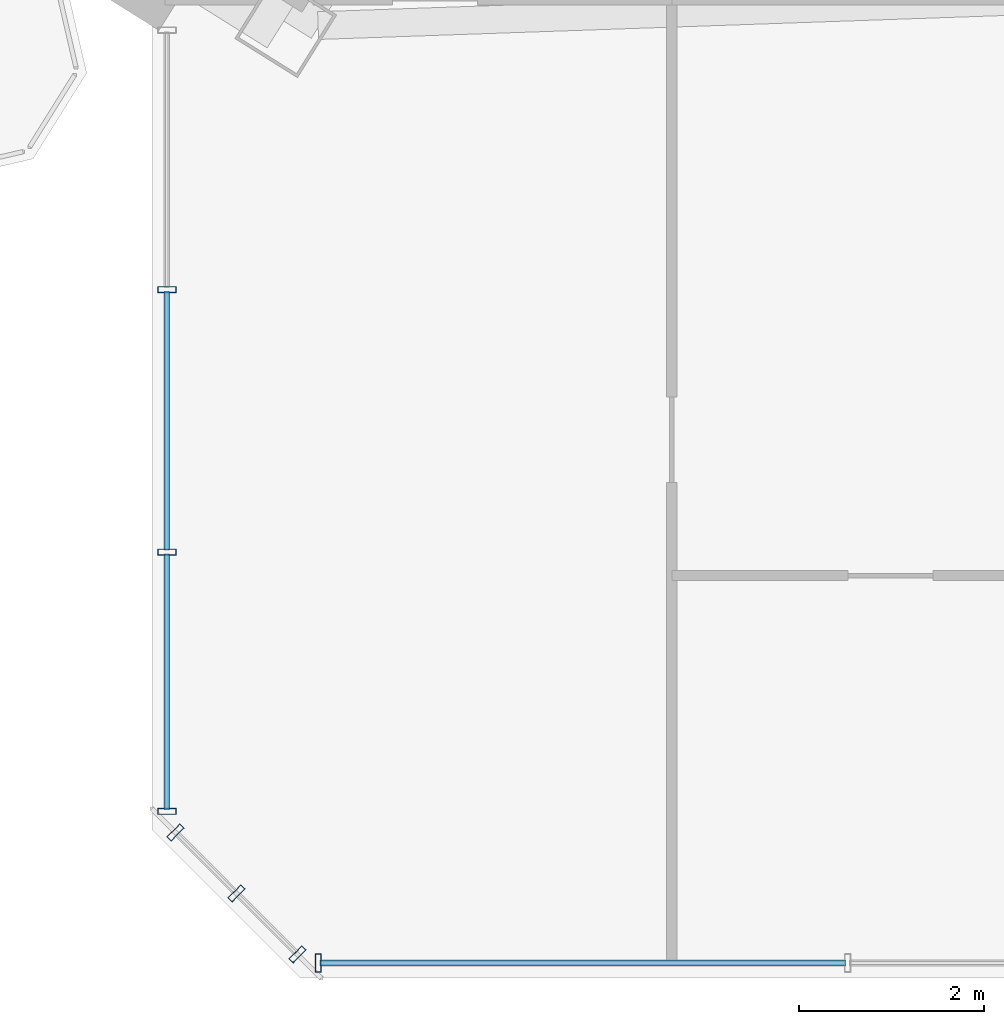
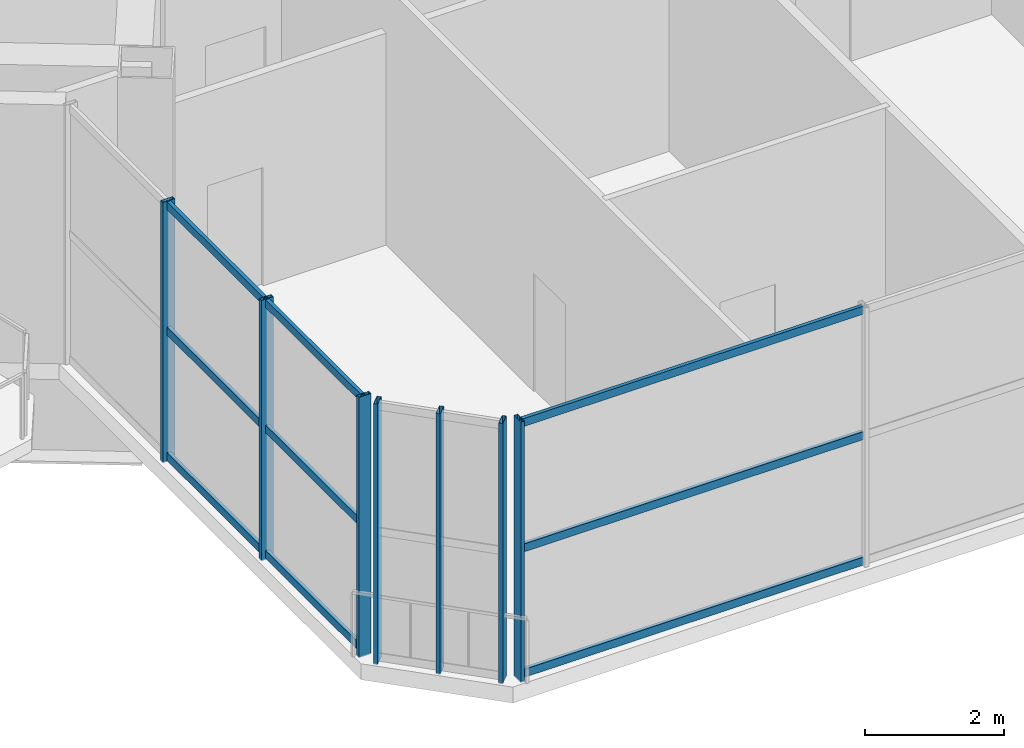
# One storey, part 4 of 21: 16 members, 3 elements without a shape of their own.
"""IFC4 building model written with IfcOpenShell, lengths in metres."""

from ifc_helpers import new_model, si_unit, direction, frame, origin, origin_2d, place, context, subcontext, project, spatial, hollow_rectangle, extrude, source, transform, mapped, material, material_profile, profile_set, type_object, element, aggregate, save


model = new_model("IFC4")

# Units and contexts
model_context = context("Model", 3, precision=1e-05, world=origin(), true_north=direction((0.0, 1.0)))
body_context = subcontext(model_context, "Body", "Model", "MODEL_VIEW")
ifc_project = project(units=[si_unit("LENGTHUNIT", "METRE"), si_unit("AREAUNIT", "SQUARE_METRE"), si_unit("VOLUMEUNIT", "CUBIC_METRE"), si_unit("PLANEANGLEUNIT", "RADIAN"), si_unit("MASSUNIT", "GRAM", prefix="KILO")], contexts=[model_context])

# Site, building, storey
site_placement = place(None, origin())
site = spatial("IfcSite", under=ifc_project, at=site_placement, CompositionType="ELEMENT")
building_placement = place(site_placement, origin())
building = spatial("IfcBuilding", under=site, at=building_placement, Name="Tlacorven Tower", CompositionType="ELEMENT")
storey_placement = place(building_placement, frame((0.0, 0.0, 179.39990234375)))
storey = spatial("IfcBuildingStorey", under=building, at=storey_placement, Name="L45", CompositionType="ELEMENT", Elevation=179.39990234375)

# Curtain wall, members
ifc_material_1 = material(Name="Dark solar low-E double glazing in aluminium frame", Category="aluminium")
curtain_wall_type = type_object("IfcCurtainWallType", Name="CW-TWR-MID", PredefinedType="USERDEFINED", material=ifc_material_1)
curtain_wall_1_placement = place(storey_placement, origin())
curtain_wall_1 = element("IfcCurtainWall", 1, at=curtain_wall_1_placement, inside=storey, type_object=curtain_wall_type, Name="L45 CW-TWR-MID Curtain Wall 209", ObjectType="UNITISED CURTAIN WALL", PredefinedType="USERDEFINED")
ifc_material_2 = material(Name="Aluminium 6063-T6 anodised", Category="aluminium")
ifc_material_profile_1 = material_profile(ifc_material_2, hollow_rectangle(XDim=0.06005859375, YDim=0.139892578125, WallThickness=0.00390625, at=origin_2d()), Name="ALU TRANSOM 60X140")
ifc_profile_set_1 = profile_set([ifc_material_profile_1], Name="Aluminium 6063-T6 anodised")
member_type_1 = type_object("IfcMemberType", Name="CWT-02", PredefinedType="USERDEFINED", material=ifc_profile_set_1)
shared_shape_1 = source(origin(), body_context, "Body", "SweptSolid", [
    extrude(hollow_rectangle(XDim=0.06005859375, YDim=0.139892578125, WallThickness=0.00390625, at=origin_2d()), origin(), (0.0, 0.0, 1.0), 5.682373046875),
])
member_1_placement = place(storey_placement, frame((39.1015625, 1.9599609375, 0.070068359375), z_axis=(-1.0, 0.0, 0.0), x_axis=(0.0, -1.0, 0.0)))
member_1 = element("IfcMember", 2, at=member_1_placement, type_object=member_type_1, Name="CW-L45-209 Transom 7", ObjectType="TRANSOM", PredefinedType="USERDEFINED", context=body_context, shape_type="MappedRepresentation", body=[
    mapped(shared_shape_1, transform((0.0, 0.0, 0.0), scale=1.0)),
])
member_2_placement = place(storey_placement, frame((39.1015625, 1.9599609375, 2.275146484375), z_axis=(-1.0, 0.0, 0.0), x_axis=(0.0, -1.0, 0.0)))
member_2 = element("IfcMember", 3, at=member_2_placement, type_object=member_type_1, Name="CW-L45-209 Transom 8", ObjectType="TRANSOM", PredefinedType="USERDEFINED", context=body_context, shape_type="MappedRepresentation", body=[
    mapped(shared_shape_1, transform((0.0, 0.0, 0.0), scale=1.0)),
])
member_3_placement = place(storey_placement, frame((39.1015625, 1.9599609375, 4.47998046875), z_axis=(-1.0, 0.0, 0.0), x_axis=(0.0, -1.0, 0.0)))
member_3 = element("IfcMember", 4, at=member_3_placement, type_object=member_type_1, Name="CW-L45-209 Transom 9", ObjectType="TRANSOM", PredefinedType="USERDEFINED", context=body_context, shape_type="MappedRepresentation", body=[
    mapped(shared_shape_1, transform((0.0, 0.0, 0.0), scale=1.0)),
])

curtain_wall_2_placement = place(storey_placement, origin())
curtain_wall_2 = element("IfcCurtainWall", 5, at=curtain_wall_2_placement, inside=storey, type_object=curtain_wall_type, Name="L45 CW-TWR-MID Curtain Wall 211", ObjectType="UNITISED CURTAIN WALL", PredefinedType="USERDEFINED")
shared_shape_2 = source(origin(), body_context, "Body", "SweptSolid", [
    extrude(hollow_rectangle(XDim=0.06005859375, YDim=0.139892578125, WallThickness=0.00390625, at=origin_2d()), origin(), (0.0, 0.0, 1.0), 2.765380859375),
])
member_4_placement = place(storey_placement, frame((31.760009765625, 3.619384765625, 0.070068359375), z_axis=(0.0, 1.0, 0.0), x_axis=(-1.0, 0.0, 0.0)))
member_4 = element("IfcMember", 6, at=member_4_placement, type_object=member_type_1, Name="CW-L45-211 Transom 1", ObjectType="TRANSOM", PredefinedType="USERDEFINED", context=body_context, shape_type="MappedRepresentation", body=[
    mapped(shared_shape_2, transform((0.0, 0.0, 0.0), scale=1.0)),
])
member_5_placement = place(storey_placement, frame((31.760009765625, 3.619384765625, 2.275146484375), z_axis=(0.0, 1.0, 0.0), x_axis=(-1.0, 0.0, 0.0)))
member_5 = element("IfcMember", 7, at=member_5_placement, type_object=member_type_1, Name="CW-L45-211 Transom 2", ObjectType="TRANSOM", PredefinedType="USERDEFINED", context=body_context, shape_type="MappedRepresentation", body=[
    mapped(shared_shape_2, transform((0.0, 0.0, 0.0), scale=1.0)),
])
member_6_placement = place(storey_placement, frame((31.760009765625, 3.619384765625, 4.47998046875), z_axis=(0.0, 1.0, 0.0), x_axis=(-1.0, 0.0, 0.0)))
member_6 = element("IfcMember", 8, at=member_6_placement, type_object=member_type_1, Name="CW-L45-211 Transom 3", ObjectType="TRANSOM", PredefinedType="USERDEFINED", context=body_context, shape_type="MappedRepresentation", body=[
    mapped(shared_shape_2, transform((0.0, 0.0, 0.0), scale=1.0)),
])
shared_shape_3 = source(origin(), body_context, "Body", "SweptSolid", [
    extrude(hollow_rectangle(XDim=0.06005859375, YDim=0.139892578125, WallThickness=0.00390625, at=origin_2d()), origin(), (0.0, 0.0, 1.0), 2.7978515625),
])
member_7_placement = place(storey_placement, frame((31.760009765625, 6.42578125, 0.070068359375), z_axis=(0.0, 1.0, 0.0), x_axis=(-1.0, 0.0, 0.0)))
member_7 = element("IfcMember", 9, at=member_7_placement, type_object=member_type_1, Name="CW-L45-211 Transom 4", ObjectType="TRANSOM", PredefinedType="USERDEFINED", context=body_context, shape_type="MappedRepresentation", body=[
    mapped(shared_shape_3, transform((0.0, 0.0, 0.0), scale=1.0)),
])
member_8_placement = place(storey_placement, frame((31.760009765625, 6.42578125, 2.275146484375), z_axis=(0.0, 1.0, 0.0), x_axis=(-1.0, 0.0, 0.0)))
member_8 = element("IfcMember", 10, at=member_8_placement, type_object=member_type_1, Name="CW-L45-211 Transom 5", ObjectType="TRANSOM", PredefinedType="USERDEFINED", context=body_context, shape_type="MappedRepresentation", body=[
    mapped(shared_shape_3, transform((0.0, 0.0, 0.0), scale=1.0)),
])
member_9_placement = place(storey_placement, frame((31.760009765625, 6.42578125, 4.47998046875), z_axis=(0.0, 1.0, 0.0), x_axis=(-1.0, 0.0, 0.0)))
member_9 = element("IfcMember", 11, at=member_9_placement, type_object=member_type_1, Name="CW-L45-211 Transom 6", ObjectType="TRANSOM", PredefinedType="USERDEFINED", context=body_context, shape_type="MappedRepresentation", body=[
    mapped(shared_shape_3, transform((0.0, 0.0, 0.0), scale=1.0)),
])

# Member
ifc_material_profile_2 = material_profile(ifc_material_2, hollow_rectangle(XDim=0.06494140625, YDim=0.199951171875, WallThickness=0.00439453125, at=origin_2d()), Name="ALU MULLION 65X200")
ifc_profile_set_2 = profile_set([ifc_material_profile_2], Name="Aluminium 6063-T6 anodised")
member_type_2 = type_object("IfcMemberType", Name="CWM-02", PredefinedType="MULLION", material=ifc_profile_set_2)
shared_shape_4 = source(origin(), body_context, "Body", "SweptSolid", [
    extrude(hollow_rectangle(XDim=0.06494140625, YDim=0.199951171875, WallThickness=0.00439453125, at=origin_2d()), origin(), (0.0, 0.0, 1.0), 4.580078125),
])
member_10_placement = place(storey_placement, frame((33.398681640625, 1.9599609375, -0.02001953125), z_axis=(0.0, 0.0, 1.0), x_axis=(-1.0, 0.0, 0.0)))
member_10 = element("IfcMember", 12, at=member_10_placement, type_object=member_type_2, Name="CW-L45-209 Mullion 4", PredefinedType="MULLION", context=body_context, shape_type="MappedRepresentation", body=[
    mapped(shared_shape_4, transform((0.0, 0.0, 0.0), scale=1.0)),
])

aggregate(curtain_wall_1, [member_10, member_1, member_2, member_3])

# Curtain wall, members
curtain_wall_3_placement = place(storey_placement, origin())
curtain_wall_3 = element("IfcCurtainWall", 13, at=curtain_wall_3_placement, inside=storey, type_object=curtain_wall_type, Name="L45 CW-TWR-MID Curtain Wall 210", ObjectType="UNITISED CURTAIN WALL", PredefinedType="USERDEFINED")
member_11_placement = place(storey_placement, frame((33.172607421875, 2.0537109375, -0.02001953125), z_axis=(0.0, 0.0, 1.0), x_axis=(-0.707106781187, 0.707106781187, 0.0)))
member_11 = element("IfcMember", 14, at=member_11_placement, type_object=member_type_2, Name="CW-L45-210 Mullion 1", PredefinedType="MULLION", context=body_context, shape_type="MappedRepresentation", body=[
    mapped(shared_shape_4, transform((0.0, 0.0, 0.0), scale=1.0)),
])
member_12_placement = place(storey_placement, frame((32.51318359375, 2.713134765625, -0.02001953125), z_axis=(0.0, 0.0, 1.0), x_axis=(-0.707106781187, 0.707106781187, 0.0)))
member_12 = element("IfcMember", 15, at=member_12_placement, type_object=member_type_2, Name="CW-L45-210 Mullion 2", PredefinedType="MULLION", context=body_context, shape_type="MappedRepresentation", body=[
    mapped(shared_shape_4, transform((0.0, 0.0, 0.0), scale=1.0)),
])
member_13_placement = place(storey_placement, frame((31.853759765625, 3.37255859375, -0.02001953125), z_axis=(0.0, 0.0, 1.0), x_axis=(-0.707106781187, 0.707106781187, 0.0)))
member_13 = element("IfcMember", 16, at=member_13_placement, type_object=member_type_2, Name="CW-L45-210 Mullion 3", PredefinedType="MULLION", context=body_context, shape_type="MappedRepresentation", body=[
    mapped(shared_shape_4, transform((0.0, 0.0, 0.0), scale=1.0)),
])
aggregate(curtain_wall_3, [member_11, member_12, member_13])

# Member
member_14_placement = place(storey_placement, frame((31.760009765625, 3.598876953125, -0.02001953125), z_axis=(0.0, 0.0, 1.0), x_axis=(0.0, 1.0, 0.0)))
member_14 = element("IfcMember", 17, at=member_14_placement, type_object=member_type_2, Name="CW-L45-211 Mullion 1", PredefinedType="MULLION", context=body_context, shape_type="MappedRepresentation", body=[
    mapped(shared_shape_4, transform((0.0, 0.0, 0.0), scale=1.0)),
])

member_15_placement = place(storey_placement, frame((31.760009765625, 6.4052734375, -0.02001953125), z_axis=(0.0, 0.0, 1.0), x_axis=(0.0, 1.0, 0.0)))
member_15 = element("IfcMember", 18, at=member_15_placement, type_object=member_type_2, Name="CW-L45-211 Mullion 2", PredefinedType="MULLION", context=body_context, shape_type="MappedRepresentation", body=[
    mapped(shared_shape_4, transform((0.0, 0.0, 0.0), scale=1.0)),
])

member_16_placement = place(storey_placement, frame((31.760009765625, 9.244140625, -0.02001953125), z_axis=(0.0, 0.0, 1.0), x_axis=(0.0, 1.0, 0.0)))
member_16 = element("IfcMember", 19, at=member_16_placement, type_object=member_type_2, Name="CW-L45-211 Mullion 3", PredefinedType="MULLION", context=body_context, shape_type="MappedRepresentation", body=[
    mapped(shared_shape_4, transform((0.0, 0.0, 0.0), scale=1.0)),
])

aggregate(curtain_wall_2, [member_14, member_15, member_16, member_4, member_5, member_6, member_7, member_8, member_9])

save(model, "model.ifc")
